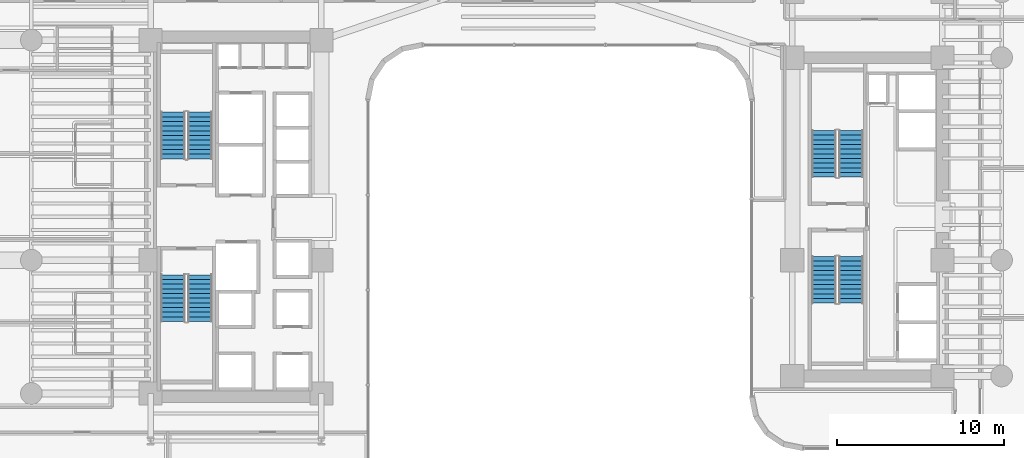
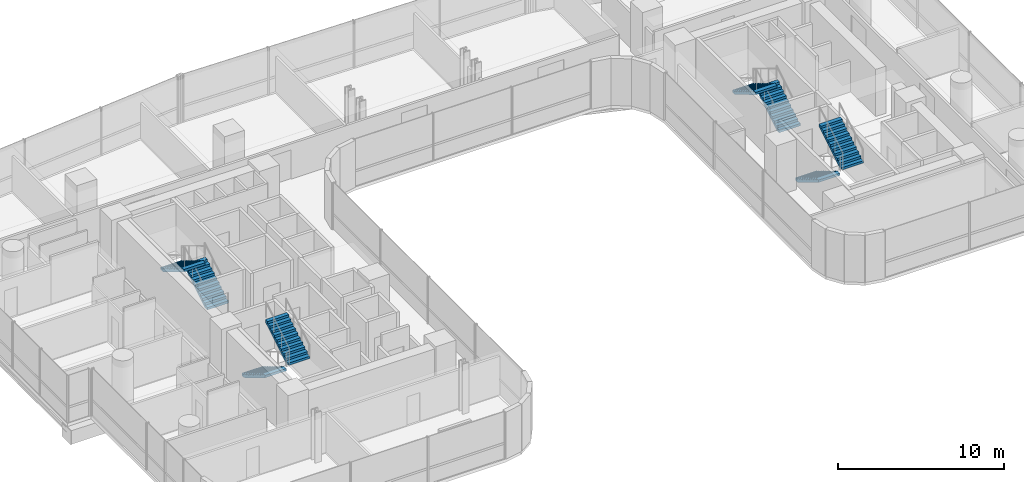
# One storey, part 34 of 39: 8 stair flights, 4 elements without a shape of their own.
"""IFC4 building model written with IfcOpenShell, lengths in metres."""

from ifc_helpers import new_model, si_unit, direction, frame, origin, place, context, subcontext, project, spatial, polyline, outline, extrude, material, type_object, element, aggregate, save


model = new_model("IFC4")

# Units and contexts
model_context = context("Model", 3, precision=1e-05, world=origin(), true_north=direction((0.0, 1.0)))
body_context = subcontext(model_context, "Body", "Model", "MODEL_VIEW")
ifc_project = project(units=[si_unit("LENGTHUNIT", "METRE"), si_unit("AREAUNIT", "SQUARE_METRE"), si_unit("VOLUMEUNIT", "CUBIC_METRE"), si_unit("PLANEANGLEUNIT", "RADIAN"), si_unit("MASSUNIT", "GRAM", prefix="KILO")], contexts=[model_context])

# Site, building, storey
site_placement = place(None, origin())
site = spatial("IfcSite", under=ifc_project, at=site_placement, CompositionType="ELEMENT")
building_placement = place(site_placement, origin())
building = spatial("IfcBuilding", under=site, at=building_placement, Name="Valdorenza Pilgrim Sanctuary Tower", CompositionType="ELEMENT")
storey_placement = place(building_placement, frame((0.0, 0.0, 77.800048828125)))
storey = spatial("IfcBuildingStorey", under=building, at=storey_placement, Name="L19", CompositionType="ELEMENT", Elevation=77.800048828125)

# Stair, stair flights
ifc_material = material(Name="Concrete C40/50", Category="concrete")
stair_type = type_object("IfcStairType", Name="STR-DOG-CORE", PredefinedType="HALF_TURN_STAIR", material=ifc_material)
stair_1_placement = place(storey_placement, origin())
stair_1 = element("IfcStair", 1, at=stair_1_placement, inside=storey, type_object=stair_type, Name="L19 ST-A1", PredefinedType="HALF_TURN_STAIR")
stair_flight_type = type_object("IfcStairFlightType", Name="STF-RC-1400", PredefinedType="STRAIGHT", material=ifc_material)
stair_flight_1_placement = place(storey_placement, frame((-19.679931640625, 3.47998046875, 0.0), z_axis=(0.0, 0.0, 1.0), x_axis=(0.0, 1.0, 0.0)))
stair_flight_1 = element("IfcStairFlight", 2, at=stair_flight_1_placement, type_object=stair_flight_type, Name="ST-A1 flight 1", NumberOfRisers=11, NumberOfTreads=10, PredefinedType="STRAIGHT", RiserHeight=0.168181818, TreadLength=0.28, context=body_context, shape_type="SweptSolid", body=[
    extrude(outline(polyline([(0.0, 0.0), (0.0, 0.168212890625), (0.280029296875, 0.168212890625), (0.280029296875, 0.33642578125), (0.56005859375, 0.33642578125), (0.56005859375, 0.504638671875), (0.840087890625, 0.504638671875), (0.840087890625, 0.672607421875), (1.1201171875, 0.672607421875), (1.1201171875, 0.8408203125), (1.39990234375, 0.8408203125), (1.39990234375, 1.009033203125), (1.679931640625, 1.009033203125), (1.679931640625, 1.17724609375), (1.9599609375, 1.17724609375), (1.9599609375, 1.345458984375), (2.239990234375, 1.345458984375), (2.239990234375, 1.513671875), (2.52001953125, 1.513671875), (2.52001953125, 1.681884765625), (2.800048828125, 1.681884765625), (2.800048828125, 1.85009765625), (2.800048828125, 1.5068359375), (0.291015625, 0.0), (0.0, 0.0)])), frame((0.0, 0.739990234375, 0.0), z_axis=(0.0, -1.0, 0.0), x_axis=(1.0, 0.0, 0.0)), (0.0, 0.0, 1.0), 1.47998046875),
])
stair_flight_2_placement = place(storey_placement, frame((-21.31005859375, 6.280029296875, 1.849853515625), z_axis=(0.0, 0.0, 1.0), x_axis=(0.0, -1.0, 0.0)))
stair_flight_2 = element("IfcStairFlight", 3, at=stair_flight_2_placement, type_object=stair_flight_type, Name="ST-A1 flight 2", NumberOfRisers=11, NumberOfTreads=10, PredefinedType="STRAIGHT", RiserHeight=0.168181818, TreadLength=0.28, context=body_context, shape_type="SweptSolid", body=[
    extrude(outline(polyline([(0.0, 0.0), (0.0, 0.168212890625), (0.280029296875, 0.168212890625), (0.280029296875, 0.33642578125), (0.56005859375, 0.33642578125), (0.56005859375, 0.504638671875), (0.840087890625, 0.504638671875), (0.840087890625, 0.672607421875), (1.1201171875, 0.672607421875), (1.1201171875, 0.8408203125), (1.39990234375, 0.8408203125), (1.39990234375, 1.009033203125), (1.679931640625, 1.009033203125), (1.679931640625, 1.17724609375), (1.9599609375, 1.17724609375), (1.9599609375, 1.345458984375), (2.239990234375, 1.345458984375), (2.239990234375, 1.513671875), (2.52001953125, 1.513671875), (2.52001953125, 1.681884765625), (2.800048828125, 1.681884765625), (2.800048828125, 1.85009765625), (2.800048828125, 1.5068359375), (0.291015625, 0.0), (0.0, 0.0)])), frame((0.0, 0.739990234375, 0.0), z_axis=(0.0, -1.0, 0.0), x_axis=(1.0, 0.0, 0.0)), (0.0, 0.0, 1.0), 1.47998046875),
])
aggregate(stair_1, [stair_flight_1, stair_flight_2])

stair_2_placement = place(storey_placement, origin())
stair_2 = element("IfcStair", 4, at=stair_2_placement, inside=storey, type_object=stair_type, Name="L19 ST-A2", PredefinedType="HALF_TURN_STAIR")
stair_flight_3_placement = place(storey_placement, frame((-21.31005859375, -3.47998046875, 0.0), z_axis=(0.0, 0.0, 1.0), x_axis=(0.0, -1.0, 0.0)))
stair_flight_3 = element("IfcStairFlight", 5, at=stair_flight_3_placement, type_object=stair_flight_type, Name="ST-A2 flight 1", NumberOfRisers=11, NumberOfTreads=10, PredefinedType="STRAIGHT", RiserHeight=0.168181818, TreadLength=0.28, context=body_context, shape_type="SweptSolid", body=[
    extrude(outline(polyline([(0.0, 0.0), (0.0, 0.168212890625), (0.280029296875, 0.168212890625), (0.280029296875, 0.33642578125), (0.56005859375, 0.33642578125), (0.56005859375, 0.504638671875), (0.840087890625, 0.504638671875), (0.840087890625, 0.672607421875), (1.1201171875, 0.672607421875), (1.1201171875, 0.8408203125), (1.39990234375, 0.8408203125), (1.39990234375, 1.009033203125), (1.679931640625, 1.009033203125), (1.679931640625, 1.17724609375), (1.9599609375, 1.17724609375), (1.9599609375, 1.345458984375), (2.239990234375, 1.345458984375), (2.239990234375, 1.513671875), (2.52001953125, 1.513671875), (2.52001953125, 1.681884765625), (2.800048828125, 1.681884765625), (2.800048828125, 1.85009765625), (2.800048828125, 1.5068359375), (0.291015625, 0.0), (0.0, 0.0)])), frame((0.0, 0.739990234375, 0.0), z_axis=(0.0, -1.0, 0.0), x_axis=(1.0, 0.0, 0.0)), (0.0, 0.0, 1.0), 1.47998046875),
])
stair_flight_4_placement = place(storey_placement, frame((-19.679931640625, -6.280029296875, 1.849853515625), z_axis=(0.0, 0.0, 1.0), x_axis=(0.0, 1.0, 0.0)))
stair_flight_4 = element("IfcStairFlight", 6, at=stair_flight_4_placement, type_object=stair_flight_type, Name="ST-A2 flight 2", NumberOfRisers=11, NumberOfTreads=10, PredefinedType="STRAIGHT", RiserHeight=0.168181818, TreadLength=0.28, context=body_context, shape_type="SweptSolid", body=[
    extrude(outline(polyline([(0.0, 0.0), (0.0, 0.168212890625), (0.280029296875, 0.168212890625), (0.280029296875, 0.33642578125), (0.56005859375, 0.33642578125), (0.56005859375, 0.504638671875), (0.840087890625, 0.504638671875), (0.840087890625, 0.672607421875), (1.1201171875, 0.672607421875), (1.1201171875, 0.8408203125), (1.39990234375, 0.8408203125), (1.39990234375, 1.009033203125), (1.679931640625, 1.009033203125), (1.679931640625, 1.17724609375), (1.9599609375, 1.17724609375), (1.9599609375, 1.345458984375), (2.239990234375, 1.345458984375), (2.239990234375, 1.513671875), (2.52001953125, 1.513671875), (2.52001953125, 1.681884765625), (2.800048828125, 1.681884765625), (2.800048828125, 1.85009765625), (2.800048828125, 1.5068359375), (0.291015625, 0.0), (0.0, 0.0)])), frame((0.0, 0.739990234375, 0.0), z_axis=(0.0, -1.0, 0.0), x_axis=(1.0, 0.0, 0.0)), (0.0, 0.0, 1.0), 1.47998046875),
])
aggregate(stair_2, [stair_flight_3, stair_flight_4])

stair_3_placement = place(storey_placement, origin())
stair_3 = element("IfcStair", 7, at=stair_3_placement, inside=storey, type_object=stair_type, Name="L19 ST-B1", PredefinedType="HALF_TURN_STAIR")
stair_flight_5_placement = place(storey_placement, frame((19.3701171875, 2.3798828125, 0.0), z_axis=(0.0, 0.0, 1.0), x_axis=(0.0, 1.0, 0.0)))
stair_flight_5 = element("IfcStairFlight", 8, at=stair_flight_5_placement, type_object=stair_flight_type, Name="ST-B1 flight 1", NumberOfRisers=11, NumberOfTreads=10, PredefinedType="STRAIGHT", RiserHeight=0.168181818, TreadLength=0.28, context=body_context, shape_type="SweptSolid", body=[
    extrude(outline(polyline([(0.0, 0.0), (0.0, 0.168212890625), (0.280029296875, 0.168212890625), (0.280029296875, 0.33642578125), (0.56005859375, 0.33642578125), (0.56005859375, 0.504638671875), (0.840087890625, 0.504638671875), (0.840087890625, 0.672607421875), (1.1201171875, 0.672607421875), (1.1201171875, 0.8408203125), (1.39990234375, 0.8408203125), (1.39990234375, 1.009033203125), (1.679931640625, 1.009033203125), (1.679931640625, 1.17724609375), (1.9599609375, 1.17724609375), (1.9599609375, 1.345458984375), (2.239990234375, 1.345458984375), (2.239990234375, 1.513671875), (2.52001953125, 1.513671875), (2.52001953125, 1.681884765625), (2.800048828125, 1.681884765625), (2.800048828125, 1.85009765625), (2.800048828125, 1.5068359375), (0.291015625, 0.0), (0.0, 0.0)])), frame((0.0, 0.739990234375, 0.0), z_axis=(0.0, -1.0, 0.0), x_axis=(1.0, 0.0, 0.0)), (0.0, 0.0, 1.0), 1.47998046875),
])
stair_flight_6_placement = place(storey_placement, frame((17.739990234375, 5.179931640625, 1.849853515625), z_axis=(0.0, 0.0, 1.0), x_axis=(0.0, -1.0, 0.0)))
stair_flight_6 = element("IfcStairFlight", 9, at=stair_flight_6_placement, type_object=stair_flight_type, Name="ST-B1 flight 2", NumberOfRisers=11, NumberOfTreads=10, PredefinedType="STRAIGHT", RiserHeight=0.168181818, TreadLength=0.28, context=body_context, shape_type="SweptSolid", body=[
    extrude(outline(polyline([(0.0, 0.0), (0.0, 0.168212890625), (0.280029296875, 0.168212890625), (0.280029296875, 0.33642578125), (0.56005859375, 0.33642578125), (0.56005859375, 0.504638671875), (0.840087890625, 0.504638671875), (0.840087890625, 0.672607421875), (1.1201171875, 0.672607421875), (1.1201171875, 0.8408203125), (1.39990234375, 0.8408203125), (1.39990234375, 1.009033203125), (1.679931640625, 1.009033203125), (1.679931640625, 1.17724609375), (1.9599609375, 1.17724609375), (1.9599609375, 1.345458984375), (2.239990234375, 1.345458984375), (2.239990234375, 1.513671875), (2.52001953125, 1.513671875), (2.52001953125, 1.681884765625), (2.800048828125, 1.681884765625), (2.800048828125, 1.85009765625), (2.800048828125, 1.5068359375), (0.291015625, 0.0), (0.0, 0.0)])), frame((0.0, 0.739990234375, 0.0), z_axis=(0.0, -1.0, 0.0), x_axis=(1.0, 0.0, 0.0)), (0.0, 0.0, 1.0), 1.47998046875),
])
aggregate(stair_3, [stair_flight_5, stair_flight_6])

stair_4_placement = place(storey_placement, origin())
stair_4 = element("IfcStair", 10, at=stair_4_placement, inside=storey, type_object=stair_type, Name="L19 ST-B2", PredefinedType="HALF_TURN_STAIR")
stair_flight_7_placement = place(storey_placement, frame((17.739990234375, -2.3798828125, 0.0), z_axis=(0.0, 0.0, 1.0), x_axis=(0.0, -1.0, 0.0)))
stair_flight_7 = element("IfcStairFlight", 11, at=stair_flight_7_placement, type_object=stair_flight_type, Name="ST-B2 flight 1", NumberOfRisers=11, NumberOfTreads=10, PredefinedType="STRAIGHT", RiserHeight=0.168181818, TreadLength=0.28, context=body_context, shape_type="SweptSolid", body=[
    extrude(outline(polyline([(0.0, 0.0), (0.0, 0.168212890625), (0.280029296875, 0.168212890625), (0.280029296875, 0.33642578125), (0.56005859375, 0.33642578125), (0.56005859375, 0.504638671875), (0.840087890625, 0.504638671875), (0.840087890625, 0.672607421875), (1.1201171875, 0.672607421875), (1.1201171875, 0.8408203125), (1.39990234375, 0.8408203125), (1.39990234375, 1.009033203125), (1.679931640625, 1.009033203125), (1.679931640625, 1.17724609375), (1.9599609375, 1.17724609375), (1.9599609375, 1.345458984375), (2.239990234375, 1.345458984375), (2.239990234375, 1.513671875), (2.52001953125, 1.513671875), (2.52001953125, 1.681884765625), (2.800048828125, 1.681884765625), (2.800048828125, 1.85009765625), (2.800048828125, 1.5068359375), (0.291015625, 0.0), (0.0, 0.0)])), frame((0.0, 0.739990234375, 0.0), z_axis=(0.0, -1.0, 0.0), x_axis=(1.0, 0.0, 0.0)), (0.0, 0.0, 1.0), 1.47998046875),
])
stair_flight_8_placement = place(storey_placement, frame((19.3701171875, -5.179931640625, 1.849853515625), z_axis=(0.0, 0.0, 1.0), x_axis=(0.0, 1.0, 0.0)))
stair_flight_8 = element("IfcStairFlight", 12, at=stair_flight_8_placement, type_object=stair_flight_type, Name="ST-B2 flight 2", NumberOfRisers=11, NumberOfTreads=10, PredefinedType="STRAIGHT", RiserHeight=0.168181818, TreadLength=0.28, context=body_context, shape_type="SweptSolid", body=[
    extrude(outline(polyline([(0.0, 0.0), (0.0, 0.168212890625), (0.280029296875, 0.168212890625), (0.280029296875, 0.33642578125), (0.56005859375, 0.33642578125), (0.56005859375, 0.504638671875), (0.840087890625, 0.504638671875), (0.840087890625, 0.672607421875), (1.1201171875, 0.672607421875), (1.1201171875, 0.8408203125), (1.39990234375, 0.8408203125), (1.39990234375, 1.009033203125), (1.679931640625, 1.009033203125), (1.679931640625, 1.17724609375), (1.9599609375, 1.17724609375), (1.9599609375, 1.345458984375), (2.239990234375, 1.345458984375), (2.239990234375, 1.513671875), (2.52001953125, 1.513671875), (2.52001953125, 1.681884765625), (2.800048828125, 1.681884765625), (2.800048828125, 1.85009765625), (2.800048828125, 1.5068359375), (0.291015625, 0.0), (0.0, 0.0)])), frame((0.0, 0.739990234375, 0.0), z_axis=(0.0, -1.0, 0.0), x_axis=(1.0, 0.0, 0.0)), (0.0, 0.0, 1.0), 1.47998046875),
])
aggregate(stair_4, [stair_flight_7, stair_flight_8])

save(model, "model.ifc")
